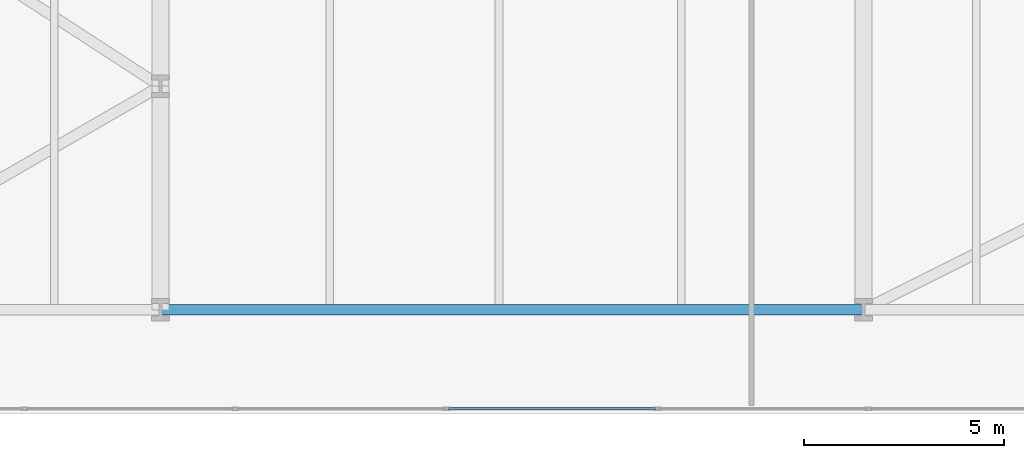
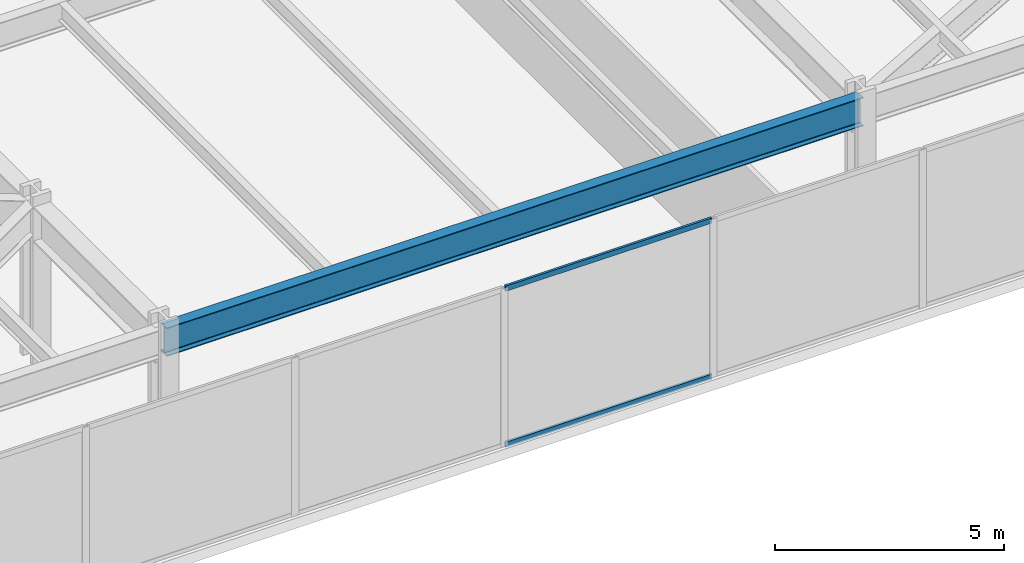
# One storey, part 13 of 28: 2 members, 1 beam, 1 element without a shape of its own.
"""IFC4 building model written with IfcOpenShell, lengths in metres."""

from ifc_helpers import new_model, si_unit, direction, frame, origin, origin_2d, place, context, subcontext, project, spatial, hollow_rectangle, i_section, extrude, material, layer, layer_set, material_profile, profile_set, type_object, element, aggregate, save


model = new_model("IFC4")

# Units and contexts
model_context = context("Model", 3, precision=1e-05, world=origin(), true_north=direction((0.0, 1.0)))
body_context = subcontext(model_context, "Body", "Model", "MODEL_VIEW")
ifc_project = project(units=[si_unit("LENGTHUNIT", "METRE"), si_unit("AREAUNIT", "SQUARE_METRE"), si_unit("VOLUMEUNIT", "CUBIC_METRE"), si_unit("PLANEANGLEUNIT", "RADIAN"), si_unit("MASSUNIT", "GRAM", prefix="KILO")], contexts=[model_context])

# Site, building, storey
site_placement = place(None, origin())
site = spatial("IfcSite", under=ifc_project, at=site_placement, CompositionType="ELEMENT")
building_placement = place(site_placement, origin())
building = spatial("IfcBuilding", under=site, at=building_placement, Name="Kravanh Interchange Tower", CompositionType="ELEMENT")
storey_placement = place(building_placement, frame((0.0, 0.0, 15.300048828125)))
storey = spatial("IfcBuildingStorey", under=building, at=storey_placement, Name="L03", CompositionType="ELEMENT", Elevation=15.300048828125)

# Curtain wall, members
ifc_material_1 = material(Name="Anodised Bronze Aluminium", Category="aluminium")
ifc_layer = layer(ifc_material_1, 0.179931640625)
ifc_layer_set = layer_set([ifc_layer], Name="Unitised Curtain Wall System CW-POD Podium Concourse")
curtain_wall_type = type_object("IfcCurtainWallType", Name="Unitised Curtain Wall System CW-POD Podium Concourse", PredefinedType="NOTDEFINED", material=ifc_layer_set)
curtain_wall_placement = place(storey_placement, origin())
curtain_wall = element("IfcCurtainWall", 1, at=curtain_wall_placement, inside=storey, type_object=curtain_wall_type, Name="L03 Unitised Curtain Wall CW-L03-04", PredefinedType="NOTDEFINED")
ifc_material_2 = material(Name="Anodised Bronze Aluminium", Category="aluminium")
ifc_material_profile_1 = material_profile(ifc_material_2, hollow_rectangle(XDim=0.06005859375, YDim=0.139892578125, WallThickness=0.00390625, at=origin_2d()), Name="ALU60X140X4")
ifc_profile_set_1 = profile_set([ifc_material_profile_1], Name="Anodised Bronze Aluminium")
member_type = type_object("IfcMemberType", Name="Curtain Wall Transom ALU60X140X4 Bronze", PredefinedType="USERDEFINED", material=ifc_profile_set_1)
member_1_placement = place(storey_placement, frame((39.607421875, 0.1201171875, 0.030029296875), z_axis=(-1.0, 0.0, 0.0), x_axis=(0.0, -1.0, 0.0)))
member_1 = element("IfcMember", 2, at=member_1_placement, type_object=member_type, Name="CW-POD transom 7.1", ObjectType="TRANSOM", PredefinedType="USERDEFINED", context=body_context, shape_type="SweptSolid", body=[
    extrude(hollow_rectangle(XDim=0.06005859375, YDim=0.139892578125, WallThickness=0.00390625, at=origin_2d()), origin(), (0.0, 0.0, 1.0), 5.21484375),
])
member_2_placement = place(storey_placement, frame((39.607421875, 0.1201171875, 4.199951171875), z_axis=(-1.0, 0.0, 0.0), x_axis=(0.0, -1.0, 0.0)))
member_2 = element("IfcMember", 3, at=member_2_placement, type_object=member_type, Name="CW-POD transom 7.2", ObjectType="TRANSOM", PredefinedType="USERDEFINED", context=body_context, shape_type="SweptSolid", body=[
    extrude(hollow_rectangle(XDim=0.06005859375, YDim=0.139892578125, WallThickness=0.00390625, at=origin_2d()), origin(), (0.0, 0.0, 1.0), 5.21484375),
])
aggregate(curtain_wall, [member_1, member_2])

# Beam
ifc_material_3 = material(Name="Structural Steel S355", Category="steel")
ifc_material_profile_2 = material_profile(ifc_material_3, i_section(OverallWidth=0.26708984375, OverallDepth=0.761962890625, WebThickness=0.014404296875, FlangeThickness=0.021484375, FilletRadius=0.02490234375, at=origin_2d()), Name="W30X116")
ifc_profile_set_2 = profile_set([ifc_material_profile_2], Name="Structural Steel S355")
beam_type = type_object("IfcBeamType", Name="Floor Spandrel W30X116 Structural Steel S355", PredefinedType="SPANDREL", material=ifc_profile_set_2)
beam_placement = place(storey_placement, frame((27.199951171875, 2.60009765625, 3.848876953125), z_axis=(1.0, 0.0, 0.0), x_axis=(0.0, 1.0, 0.0)))
element("IfcBeam", 4, at=beam_placement, inside=storey, type_object=beam_type, Name="L03 Perimeter Spandrel 9", PredefinedType="SPANDREL", context=body_context, shape_type="SweptSolid", body=[
    extrude(i_section(OverallWidth=0.26708984375, OverallDepth=0.761962890625, WebThickness=0.014404296875, FlangeThickness=0.021484375, FilletRadius=0.02490234375, at=origin_2d()), origin(), (0.0, 0.0, 1.0), 17.60009765625),
])

save(model, "model.ifc")
